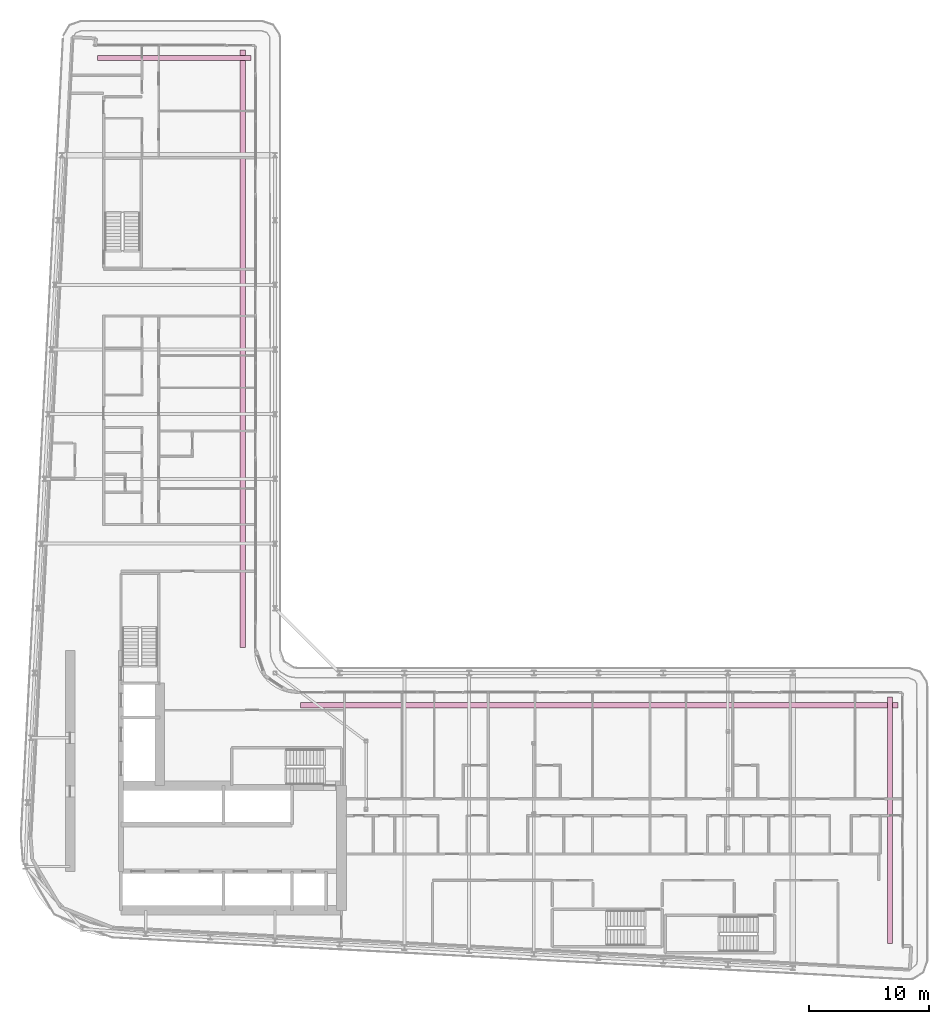
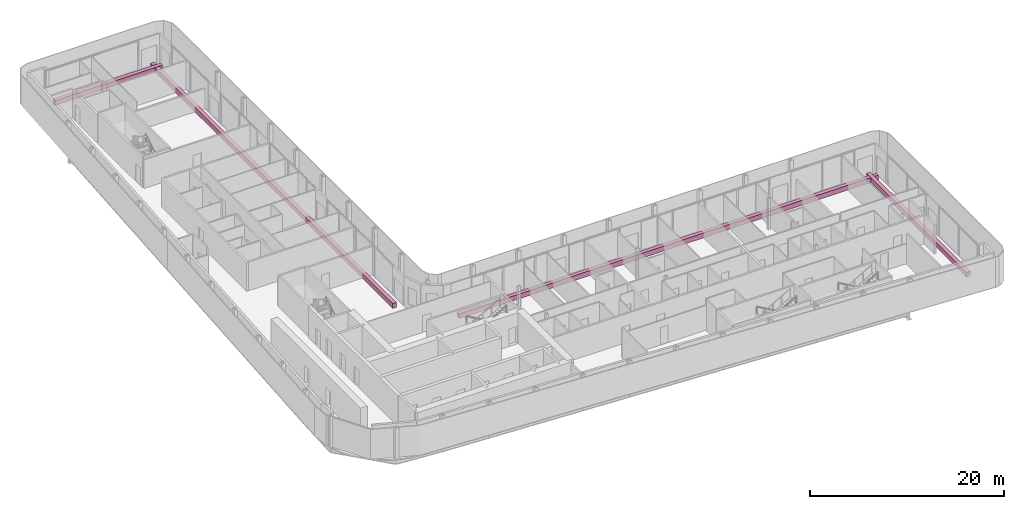
# One storey, part 29 of 29: 4 furniture elements.
"""IFC4 building model written with IfcOpenShell, lengths in metres."""

from ifc_helpers import new_model, si_unit, direction, frame, origin, origin_2d, place, context, subcontext, project, spatial, rectangle, extrude, material, type_object, element, save


model = new_model("IFC4")

# Units and contexts
model_context = context("Model", 3, precision=1e-05, world=origin(), true_north=direction((0.0, 1.0)))
body_context = subcontext(model_context, "Body", "Model", "MODEL_VIEW")
ifc_project = project(units=[si_unit("LENGTHUNIT", "METRE"), si_unit("AREAUNIT", "SQUARE_METRE"), si_unit("VOLUMEUNIT", "CUBIC_METRE"), si_unit("PLANEANGLEUNIT", "RADIAN"), si_unit("MASSUNIT", "GRAM", prefix="KILO")], contexts=[model_context])

# Site, building, storey
site_placement = place(None, origin())
site = spatial("IfcSite", under=ifc_project, at=site_placement, CompositionType="ELEMENT")
building_placement = place(site_placement, origin())
building = spatial("IfcBuilding", under=site, at=building_placement, Name="Kheshtan School and Residences Tower", CompositionType="ELEMENT")
storey_placement = place(building_placement, frame((0.0, 0.0, 183.800048828125)))
storey = spatial("IfcBuildingStorey", under=building, at=storey_placement, Name="L43", CompositionType="ELEMENT", Elevation=183.800048828125)

# Furniture
ifc_material = material(Name="Precast concrete C30/37 in terracotta finish", Category="masonry")
furniture_type = type_object("IfcFurnitureType", Name="Planter trough", AssemblyPlace="NOTDEFINED", PredefinedType="USERDEFINED", material=ifc_material)
furniture_1_placement = place(storey_placement, frame((39.196044921875, 96.925048828125, 0.0), z_axis=(0.0, 0.0, 1.0), x_axis=(1.0, 0.0, 0.0)))
element("IfcFurniture", 1, at=furniture_1_placement, inside=storey, type_object=furniture_type, Name="Planter L43", ObjectType="PLANTER", PredefinedType="USERDEFINED", context=body_context, shape_type="SweptSolid", body=[
    extrude(rectangle(XDim=12.80810546875, YDim=0.449951171875, at=origin_2d()), origin(), (0.0, 0.0, 1.0), 0.60009765625),
])
for number, where, z_axis, x_axis, name in (
    (2, (44.925048828125, 72.6650390625, 0.0), (0.0, 0.0, 1.0), (0.0, -1.0, 0.0), "Planter L43"),
    (3, (74.6650390625, 42.925048828125, 0.0), (0.0, 0.0, 1.0), (1.0, 0.0, 0.0), "Planter L43"),
):
    element("IfcFurniture", number, at=place(storey_placement, frame(where, z_axis=z_axis, x_axis=x_axis)), inside=storey, type_object=furniture_type, Name=name, ObjectType="PLANTER", PredefinedType="USERDEFINED", context=body_context, shape_type="SweptSolid", body=[
        extrude(rectangle(XDim=49.8701171875, YDim=0.449951171875, at=origin_2d()), origin(), (0.0, 0.0, 1.0), 0.60009765625),
    ])
furniture_2_placement = place(storey_placement, frame((98.925048828125, 33.306884765625, 0.0), z_axis=(0.0, 0.0, 1.0), x_axis=(0.0, -1.0, 0.0)))
element("IfcFurniture", 4, at=furniture_2_placement, inside=storey, type_object=furniture_type, Name="Planter L43", ObjectType="PLANTER", PredefinedType="USERDEFINED", context=body_context, shape_type="SweptSolid", body=[
    extrude(rectangle(XDim=20.5859375, YDim=0.449951171875, at=origin_2d()), origin(), (0.0, 0.0, 1.0), 0.60009765625),
])

save(model, "model.ifc")
